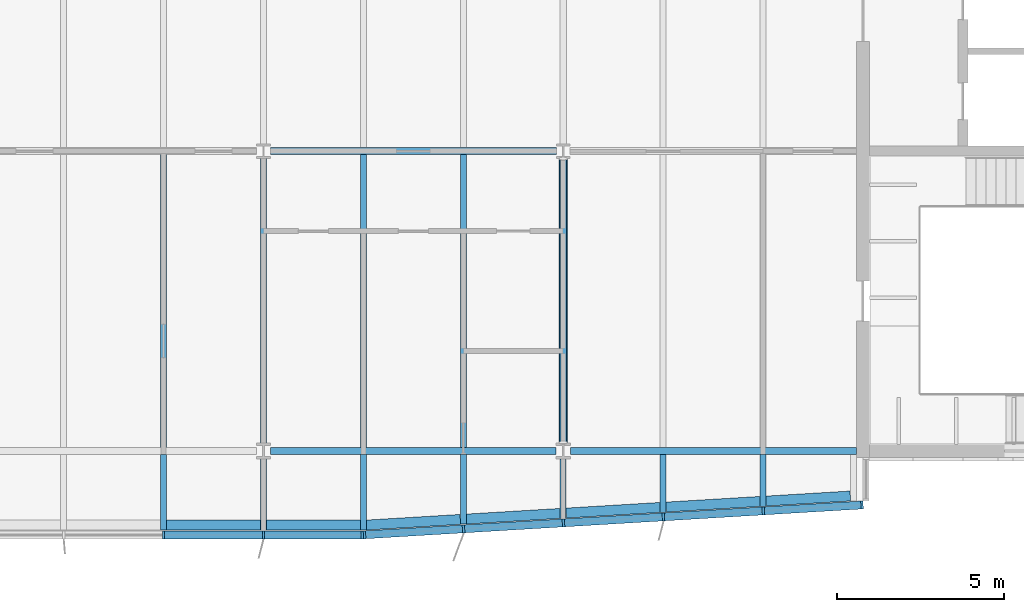
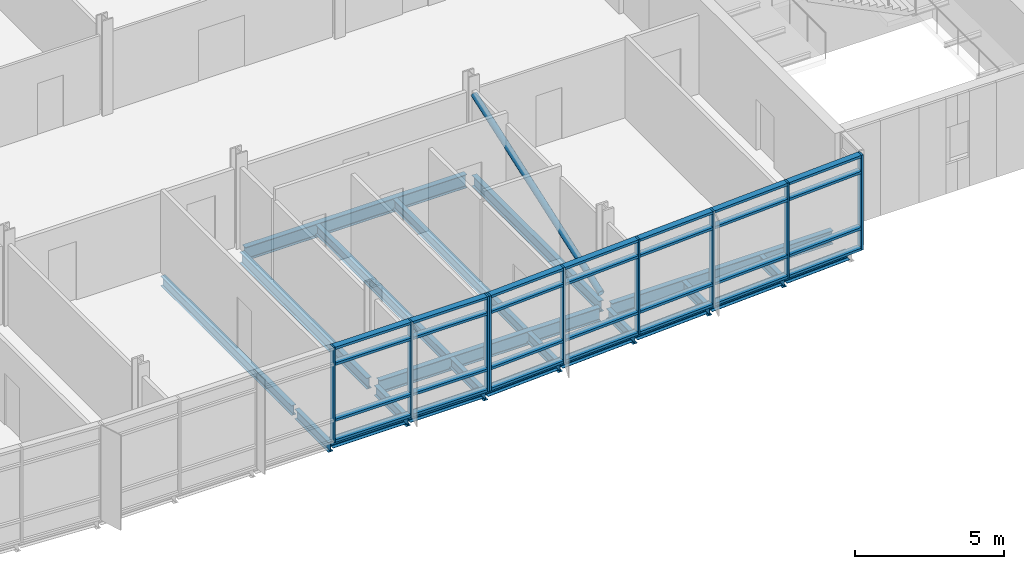
# One storey, part 5 of 17: 38 members, 22 beams, 2 elements without a shape of their own.
"""IFC4 building model written with IfcOpenShell, lengths in metres."""

from ifc_helpers import new_model, si_unit, direction, frame, origin, origin_2d, place, context, subcontext, project, spatial, rectangle, hollow_circle, i_section, extrude, material, material_profile, profile_set, type_object, element, aggregate, save


model = new_model("IFC4")

# Units and contexts
model_context = context("Model", 3, precision=1e-05, world=origin(), true_north=direction((0.0, 1.0)))
body_context = subcontext(model_context, "Body", "Model", "MODEL_VIEW")
ifc_project = project(units=[si_unit("LENGTHUNIT", "METRE"), si_unit("AREAUNIT", "SQUARE_METRE"), si_unit("VOLUMEUNIT", "CUBIC_METRE"), si_unit("PLANEANGLEUNIT", "RADIAN"), si_unit("MASSUNIT", "GRAM", prefix="KILO")], contexts=[model_context])

# Site, building, storey
site_placement = place(None, origin())
site = spatial("IfcSite", under=ifc_project, at=site_placement, CompositionType="ELEMENT")
building_placement = place(site_placement, origin())
building = spatial("IfcBuilding", under=site, at=building_placement, Name="Azimuth Sports and Learning Centre", CompositionType="ELEMENT")
storey_placement = place(building_placement, frame((0.0, 0.0, 36.300048828125)))
storey = spatial("IfcBuildingStorey", under=building, at=storey_placement, Name="L07", CompositionType="ELEMENT", Elevation=36.300048828125)

# Beams
ifc_material_1 = material(Name="Steel S355", Category="steel")
ifc_material_profile_1 = material_profile(ifc_material_1, i_section(OverallWidth=0.18994140625, OverallDepth=0.449951171875, WebThickness=0.009521484375, FlangeThickness=0.0146484375, FilletRadius=0.02099609375, at=origin_2d()), Name="IPE 450")
ifc_profile_set_1 = profile_set([ifc_material_profile_1], Name="Steel S355")
beam_type_1 = type_object("IfcBeamType", Name="Beam IPE 450", PredefinedType="BEAM", material=ifc_profile_set_1)
for number, where, z_axis, x_axis, name in (
    (1, (90.0, 90.237060546875, -0.35498046875), (0.0, 1.0, 0.0), (-1.0, 0.0, 0.0), "Tower tie"),
    (2, (99.0, 90.237060546875, -0.35498046875), (0.0, 1.0, 0.0), (-1.0, 0.0, 0.0), "Tower tie"),
):
    element("IfcBeam", number, at=place(storey_placement, frame(where, z_axis=z_axis, x_axis=x_axis)), inside=storey, type_object=beam_type_1, Name=name, PredefinedType="BEAM", context=body_context, shape_type="SweptSolid", body=[
        extrude(i_section(OverallWidth=0.18994140625, OverallDepth=0.449951171875, WebThickness=0.009521484375, FlangeThickness=0.0146484375, FilletRadius=0.02099609375, at=origin_2d()), origin(), (0.0, 0.0, 1.0), 8.54541015625),
    ])
ifc_material_2 = material(Name="Steel S355", Category="steel")
ifc_material_profile_2 = material_profile(ifc_material_2, i_section(OverallWidth=0.2099609375, OverallDepth=0.550048828125, WebThickness=0.010986328125, FlangeThickness=0.01708984375, FilletRadius=0.02392578125, at=origin_2d()), Name="IPE 550")
ifc_profile_set_2 = profile_set([ifc_material_profile_2], Name="Steel S355")
beam_type_2 = type_object("IfcBeamType", Name="Beam IPE 550", PredefinedType="BEAM", material=ifc_profile_set_2)
beam_1_placement = place(storey_placement, frame((90.2119140625, 90.0, -0.405029296875), z_axis=(1.0, 0.0, 0.0), x_axis=(0.0, 1.0, 0.0)))
element("IfcBeam", 3, at=beam_1_placement, inside=storey, type_object=beam_type_2, Name="Tower girder L07", PredefinedType="BEAM", context=body_context, shape_type="SweptSolid", body=[
    extrude(i_section(OverallWidth=0.2099609375, OverallDepth=0.550048828125, WebThickness=0.010986328125, FlangeThickness=0.01708984375, FilletRadius=0.02392578125, at=origin_2d()), origin(), (0.0, 0.0, 1.0), 8.576171875),
])
beam_2_placement = place(storey_placement, frame((99.2119140625, 90.0, -0.405029296875), z_axis=(1.0, 0.0, 0.0), x_axis=(0.0, 1.0, 0.0)))
element("IfcBeam", 4, at=beam_2_placement, inside=storey, type_object=beam_type_2, Name="Tower girder L07", PredefinedType="BEAM", context=body_context, shape_type="SweptSolid", body=[
    extrude(i_section(OverallWidth=0.2099609375, OverallDepth=0.550048828125, WebThickness=0.010986328125, FlangeThickness=0.01708984375, FilletRadius=0.02392578125, at=origin_2d()), origin(), (0.0, 0.0, 1.0), 8.588134765625),
])
beam_3_placement = place(storey_placement, frame((90.2060546875, 99.0, -0.405029296875), z_axis=(1.0, 0.0, 0.0), x_axis=(0.0, 1.0, 0.0)))
element("IfcBeam", 5, at=beam_3_placement, inside=storey, type_object=beam_type_2, Name="Tower girder L07", PredefinedType="BEAM", context=body_context, shape_type="SweptSolid", body=[
    extrude(i_section(OverallWidth=0.2099609375, OverallDepth=0.550048828125, WebThickness=0.010986328125, FlangeThickness=0.01708984375, FilletRadius=0.02392578125, at=origin_2d()), origin(), (0.0, 0.0, 1.0), 8.587890625),
])

# Member
ifc_material_3 = material(Name="Steel S355", Category="steel")
ifc_material_profile_3 = material_profile(ifc_material_3, hollow_circle(Radius=0.122314453125, WallThickness=0.012451171875, at=origin_2d()), Name="CHS 244.5x12.5")
ifc_profile_set_3 = profile_set([ifc_material_profile_3], Name="Steel S355")
member_type_1 = type_object("IfcMemberType", Name="Brace CHS 244.5x12.5", PredefinedType="BRACE", material=ifc_profile_set_3)
member_1_placement = place(storey_placement, frame((99.0, 90.25732421875, 0.16943359375), z_axis=(0.0, 0.943699867633, 0.330802901785), x_axis=(-1.0, 0.0, 0.0)))
element("IfcMember", 6, at=member_1_placement, inside=storey, type_object=member_type_1, Name="Tower brace 12 L07", PredefinedType="BRACE", context=body_context, shape_type="SweptSolid", body=[
    extrude(hollow_circle(Radius=0.122314453125, WallThickness=0.012451171875, at=origin_2d()), origin(), (0.0, 0.0, 1.0), 9.011962890625),
])

# Beams
ifc_material_4 = material(Name="Steel S355", Category="steel")
ifc_material_profile_4 = material_profile(ifc_material_4, i_section(OverallWidth=0.179931640625, OverallDepth=0.39990234375, WebThickness=0.008544921875, FlangeThickness=0.013427734375, FilletRadius=0.02099609375, at=origin_2d()), Name="IPE 400")
ifc_profile_set_4 = profile_set([ifc_material_profile_4], Name="Steel S355")
beam_type_3 = type_object("IfcBeamType", Name="Cantilever stub IPE 400", PredefinedType="JOIST", material=ifc_profile_set_4)
beam_4_placement = place(storey_placement, frame((87.0, 89.89501953125, -0.330078125), z_axis=(0.0, -1.0, 0.0), x_axis=(1.0, 0.0, 0.0)))
element("IfcBeam", 7, at=beam_4_placement, inside=storey, type_object=beam_type_3, Name="Tower cantilever stub", PredefinedType="JOIST", context=body_context, shape_type="SweptSolid", body=[
    extrude(i_section(OverallWidth=0.179931640625, OverallDepth=0.39990234375, WebThickness=0.008544921875, FlangeThickness=0.013427734375, FilletRadius=0.02099609375, at=origin_2d()), origin(), (0.0, 0.0, 1.0), 2.27490234375),
])
beam_5_placement = place(storey_placement, frame((90.0, 89.762939453125, -0.330078125), z_axis=(0.0, -1.0, 0.0), x_axis=(1.0, 0.0, 0.0)))
element("IfcBeam", 8, at=beam_5_placement, inside=storey, type_object=beam_type_3, Name="Tower cantilever stub", PredefinedType="JOIST", context=body_context, shape_type="SweptSolid", body=[
    extrude(i_section(OverallWidth=0.179931640625, OverallDepth=0.39990234375, WebThickness=0.008544921875, FlangeThickness=0.013427734375, FilletRadius=0.02099609375, at=origin_2d()), origin(), (0.0, 0.0, 1.0), 2.142822265625),
])
beam_6_placement = place(storey_placement, frame((93.0, 89.89501953125, -0.330078125), z_axis=(0.0, -1.0, 0.0), x_axis=(1.0, 0.0, 0.0)))
element("IfcBeam", 9, at=beam_6_placement, inside=storey, type_object=beam_type_3, Name="Tower cantilever stub", PredefinedType="JOIST", context=body_context, shape_type="SweptSolid", body=[
    extrude(i_section(OverallWidth=0.179931640625, OverallDepth=0.39990234375, WebThickness=0.008544921875, FlangeThickness=0.013427734375, FilletRadius=0.02099609375, at=origin_2d()), origin(), (0.0, 0.0, 1.0), 2.27490234375),
])
beam_7_placement = place(storey_placement, frame((96.0, 89.89501953125, -0.330078125), z_axis=(0.0, -1.0, 0.0), x_axis=(1.0, 0.0, 0.0)))
element("IfcBeam", 10, at=beam_7_placement, inside=storey, type_object=beam_type_3, Name="Tower cantilever stub", PredefinedType="JOIST", context=body_context, shape_type="SweptSolid", body=[
    extrude(i_section(OverallWidth=0.179931640625, OverallDepth=0.39990234375, WebThickness=0.008544921875, FlangeThickness=0.013427734375, FilletRadius=0.02099609375, at=origin_2d()), origin(), (0.0, 0.0, 1.0), 2.094970703125),
])
beam_8_placement = place(storey_placement, frame((99.0, 89.762939453125, -0.330078125), z_axis=(0.0, -1.0, 0.0), x_axis=(1.0, 0.0, 0.0)))
element("IfcBeam", 11, at=beam_8_placement, inside=storey, type_object=beam_type_3, Name="Tower cantilever stub", PredefinedType="JOIST", context=body_context, shape_type="SweptSolid", body=[
    extrude(i_section(OverallWidth=0.179931640625, OverallDepth=0.39990234375, WebThickness=0.008544921875, FlangeThickness=0.013427734375, FilletRadius=0.02099609375, at=origin_2d()), origin(), (0.0, 0.0, 1.0), 1.782958984375),
])
beam_9_placement = place(storey_placement, frame((102.0, 89.89501953125, -0.330078125), z_axis=(0.0, -1.0, 0.0), x_axis=(1.0, 0.0, 0.0)))
element("IfcBeam", 12, at=beam_9_placement, inside=storey, type_object=beam_type_3, Name="Tower cantilever stub", PredefinedType="JOIST", context=body_context, shape_type="SweptSolid", body=[
    extrude(i_section(OverallWidth=0.179931640625, OverallDepth=0.39990234375, WebThickness=0.008544921875, FlangeThickness=0.013427734375, FilletRadius=0.02099609375, at=origin_2d()), origin(), (0.0, 0.0, 1.0), 1.735107421875),
])
beam_10_placement = place(storey_placement, frame((105.0, 89.89501953125, -0.330078125), z_axis=(0.0, -1.0, 0.0), x_axis=(1.0, 0.0, 0.0)))
element("IfcBeam", 13, at=beam_10_placement, inside=storey, type_object=beam_type_3, Name="Tower cantilever stub", PredefinedType="JOIST", context=body_context, shape_type="SweptSolid", body=[
    extrude(i_section(OverallWidth=0.179931640625, OverallDepth=0.39990234375, WebThickness=0.008544921875, FlangeThickness=0.013427734375, FilletRadius=0.02099609375, at=origin_2d()), origin(), (0.0, 0.0, 1.0), 1.554931640625),
])
ifc_material_5 = material(Name="Steel S355", Category="steel")
ifc_material_profile_5 = material_profile(ifc_material_5, i_section(OverallWidth=0.300048828125, OverallDepth=0.2900390625, WebThickness=0.008544921875, FlangeThickness=0.013916015625, FilletRadius=0.027099609375, at=origin_2d()), Name="HEA 300")
ifc_profile_set_5 = profile_set([ifc_material_profile_5], Name="Steel S355")
beam_type_4 = type_object("IfcBeamType", Name="Edge beam HEA 300", PredefinedType="SPANDREL", material=ifc_profile_set_5)
for number, where, z_axis, x_axis, name in (
    (14, (87.090087890625, 87.77001953125, -0.275146484375), (1.0, 0.0, 0.0), (0.0, 1.0, 0.0), "Tower edge beam"),
    (15, (90.090087890625, 87.77001953125, -0.275146484375), (1.0, 0.0, 0.0), (0.0, 1.0, 0.0), "Tower edge beam"),
):
    element("IfcBeam", number, at=place(storey_placement, frame(where, z_axis=z_axis, x_axis=x_axis)), inside=storey, type_object=beam_type_4, Name=name, PredefinedType="SPANDREL", context=body_context, shape_type="SweptSolid", body=[
        extrude(i_section(OverallWidth=0.300048828125, OverallDepth=0.2900390625, WebThickness=0.008544921875, FlangeThickness=0.013916015625, FilletRadius=0.027099609375, at=origin_2d()), origin(), (0.0, 0.0, 1.0), 2.81982421875),
    ])
for number, where, z_axis, x_axis, name in (
    (16, (93.090087890625, 87.775390625, -0.275146484375), (0.998204845466, 0.059892290728, 0.0), (-0.059892290728, 0.998204845466, 0.0), "Tower edge beam"),
    (17, (96.090087890625, 87.955322265625, -0.275146484375), (0.998204845466, 0.059892290728, 0.0), (-0.059892290728, 0.998204845466, 0.0), "Tower edge beam"),
    (18, (99.090087890625, 88.135498046875, -0.275146484375), (0.998204845466, 0.059892290728, 0.0), (-0.059892290728, 0.998204845466, 0.0), "Tower edge beam"),
    (19, (102.090087890625, 88.3154296875, -0.275146484375), (0.998204845466, 0.059892290728, 0.0), (-0.059892290728, 0.998204845466, 0.0), "Tower edge beam"),
):
    element("IfcBeam", number, at=place(storey_placement, frame(where, z_axis=z_axis, x_axis=x_axis)), inside=storey, type_object=beam_type_4, Name=name, PredefinedType="SPANDREL", context=body_context, shape_type="SweptSolid", body=[
        extrude(i_section(OverallWidth=0.300048828125, OverallDepth=0.2900390625, WebThickness=0.008544921875, FlangeThickness=0.013916015625, FilletRadius=0.027099609375, at=origin_2d()), origin(), (0.0, 0.0, 1.0), 2.824951171875),
    ])
beam_11_placement = place(storey_placement, frame((105.090087890625, 88.495361328125, -0.275146484375), z_axis=(0.998203578329, 0.059913405937, 0.0), x_axis=(-0.059913405937, 0.998203578329, 0.0)))
element("IfcBeam", 20, at=beam_11_placement, inside=storey, type_object=beam_type_4, Name="Tower edge beam", PredefinedType="SPANDREL", context=body_context, shape_type="SweptSolid", body=[
    extrude(i_section(OverallWidth=0.300048828125, OverallDepth=0.2900390625, WebThickness=0.008544921875, FlangeThickness=0.013916015625, FilletRadius=0.027099609375, at=origin_2d()), origin(), (0.0, 0.0, 1.0), 2.53466796875),
])
ifc_material_6 = material(Name="Steel S355", Category="steel")
ifc_material_profile_6 = material_profile(ifc_material_6, i_section(OverallWidth=0.179931640625, OverallDepth=0.39990234375, WebThickness=0.008544921875, FlangeThickness=0.013427734375, FilletRadius=0.02099609375, at=origin_2d()), Name="IPE 400")
ifc_profile_set_6 = profile_set([ifc_material_profile_6], Name="Steel S355")
beam_type_5 = type_object("IfcBeamType", Name="Joist IPE 400", PredefinedType="JOIST", material=ifc_profile_set_6)
for number, where, z_axis, x_axis, name in (
    (21, (87.0, 90.10498046875, -0.330078125), (0.0, 1.0, 0.0), (-1.0, 0.0, 0.0), "Tower joist"),
    (22, (93.0, 90.10498046875, -0.330078125), (0.0, 1.0, 0.0), (-1.0, 0.0, 0.0), "Tower joist"),
    (23, (96.0, 90.10498046875, -0.330078125), (0.0, 1.0, 0.0), (-1.0, 0.0, 0.0), "Tower joist"),
):
    element("IfcBeam", number, at=place(storey_placement, frame(where, z_axis=z_axis, x_axis=x_axis)), inside=storey, type_object=beam_type_5, Name=name, PredefinedType="JOIST", context=body_context, shape_type="SweptSolid", body=[
        extrude(i_section(OverallWidth=0.179931640625, OverallDepth=0.39990234375, WebThickness=0.008544921875, FlangeThickness=0.013427734375, FilletRadius=0.02099609375, at=origin_2d()), origin(), (0.0, 0.0, 1.0), 8.7900390625),
    ])

# Curtain wall, members
ifc_material_7 = material(Name="Aluminium and glass", Category="aluminium")
curtain_wall_type = type_object("IfcCurtainWallType", Name="Curtain wall tower south 240", PredefinedType="NOTDEFINED", material=ifc_material_7)
curtain_wall_1_placement = place(storey_placement, origin())
curtain_wall_1 = element("IfcCurtainWall", 24, at=curtain_wall_1_placement, inside=storey, type_object=curtain_wall_type, Name="Curtain wall CW07-003", PredefinedType="NOTDEFINED")
ifc_material_8 = material(Name="Aluminium", Category="aluminium")
ifc_material_profile_7 = material_profile(ifc_material_8, rectangle(XDim=0.239990234375, YDim=0.070068359375, at=origin_2d()), Name="Mullion 70x240")
ifc_profile_set_7 = profile_set([ifc_material_profile_7], Name="Aluminium")
member_type_2 = type_object("IfcMemberType", Name="Mullion 70x240", PredefinedType="MULLION", material=ifc_profile_set_7)
member_2_placement = place(storey_placement, frame((87.0, 87.47998046875, 0.0), z_axis=(0.0, 0.0, 1.0), x_axis=(0.0, 1.0, 0.0)))
member_2 = element("IfcMember", 25, at=member_2_placement, type_object=member_type_2, Name="CW07-003 mullion 4", PredefinedType="MULLION", context=body_context, shape_type="SweptSolid", body=[
    extrude(rectangle(XDim=0.239990234375, YDim=0.070068359375, at=origin_2d()), origin(), (0.0, 0.0, 1.0), 3.89990234375),
])
member_3_placement = place(storey_placement, frame((90.0, 87.47998046875, 0.0), z_axis=(0.0, 0.0, 1.0), x_axis=(0.0, 1.0, 0.0)))
member_3 = element("IfcMember", 26, at=member_3_placement, type_object=member_type_2, Name="CW07-003 mullion 5", PredefinedType="MULLION", context=body_context, shape_type="SweptSolid", body=[
    extrude(rectangle(XDim=0.239990234375, YDim=0.070068359375, at=origin_2d()), origin(), (0.0, 0.0, 1.0), 3.89990234375),
])
member_4_placement = place(storey_placement, frame((92.965087890625, 87.47998046875, 0.0), z_axis=(0.0, 0.0, 1.0), x_axis=(0.0, 1.0, 0.0)))
member_4 = element("IfcMember", 27, at=member_4_placement, type_object=member_type_2, Name="CW07-003 mullion 6", PredefinedType="MULLION", context=body_context, shape_type="SweptSolid", body=[
    extrude(rectangle(XDim=0.239990234375, YDim=0.070068359375, at=origin_2d()), origin(), (0.0, 0.0, 1.0), 3.89990234375),
])

curtain_wall_2_placement = place(storey_placement, origin())
curtain_wall_2 = element("IfcCurtainWall", 28, at=curtain_wall_2_placement, inside=storey, type_object=curtain_wall_type, Name="Curtain wall CW07-004", PredefinedType="NOTDEFINED")
member_5_placement = place(storey_placement, frame((93.034912109375, 87.48193359375, 0.0), z_axis=(0.0, 0.0, 1.0), x_axis=(-0.059891991812, 0.998204863401, 0.0)))
member_5 = element("IfcMember", 29, at=member_5_placement, type_object=member_type_2, Name="CW07-004 mullion 1", PredefinedType="MULLION", context=body_context, shape_type="SweptSolid", body=[
    extrude(rectangle(XDim=0.239990234375, YDim=0.070068359375, at=origin_2d()), origin(), (0.0, 0.0, 1.0), 3.89990234375),
])
member_6_placement = place(storey_placement, frame((96.007080078125, 87.66015625, 0.0), z_axis=(0.0, 0.0, 1.0), x_axis=(-0.059891991812, 0.998204863401, 0.0)))
member_6 = element("IfcMember", 30, at=member_6_placement, type_object=member_type_2, Name="CW07-004 mullion 2", PredefinedType="MULLION", context=body_context, shape_type="SweptSolid", body=[
    extrude(rectangle(XDim=0.239990234375, YDim=0.070068359375, at=origin_2d()), origin(), (0.0, 0.0, 1.0), 3.89990234375),
])
member_7_placement = place(storey_placement, frame((99.007080078125, 87.84033203125, 0.0), z_axis=(0.0, 0.0, 1.0), x_axis=(-0.059891991812, 0.998204863401, 0.0)))
member_7 = element("IfcMember", 31, at=member_7_placement, type_object=member_type_2, Name="CW07-004 mullion 3", PredefinedType="MULLION", context=body_context, shape_type="SweptSolid", body=[
    extrude(rectangle(XDim=0.239990234375, YDim=0.070068359375, at=origin_2d()), origin(), (0.0, 0.0, 1.0), 3.89990234375),
])
member_8_placement = place(storey_placement, frame((102.007080078125, 88.020263671875, 0.0), z_axis=(0.0, 0.0, 1.0), x_axis=(-0.059891991812, 0.998204863401, 0.0)))
member_8 = element("IfcMember", 32, at=member_8_placement, type_object=member_type_2, Name="CW07-004 mullion 4", PredefinedType="MULLION", context=body_context, shape_type="SweptSolid", body=[
    extrude(rectangle(XDim=0.239990234375, YDim=0.070068359375, at=origin_2d()), origin(), (0.0, 0.0, 1.0), 3.89990234375),
])
member_9_placement = place(storey_placement, frame((105.007080078125, 88.2001953125, 0.0), z_axis=(0.0, 0.0, 1.0), x_axis=(-0.059891991812, 0.998204863401, 0.0)))
member_9 = element("IfcMember", 33, at=member_9_placement, type_object=member_type_2, Name="CW07-004 mullion 5", PredefinedType="MULLION", context=body_context, shape_type="SweptSolid", body=[
    extrude(rectangle(XDim=0.239990234375, YDim=0.070068359375, at=origin_2d()), origin(), (0.0, 0.0, 1.0), 3.89990234375),
])
member_10_placement = place(storey_placement, frame((107.97216796875, 88.378173828125, 0.0), z_axis=(0.0, 0.0, 1.0), x_axis=(-0.059891991812, 0.998204863401, 0.0)))
member_10 = element("IfcMember", 34, at=member_10_placement, type_object=member_type_2, Name="CW07-004 mullion 6", PredefinedType="MULLION", context=body_context, shape_type="SweptSolid", body=[
    extrude(rectangle(XDim=0.239990234375, YDim=0.070068359375, at=origin_2d()), origin(), (0.0, 0.0, 1.0), 3.89990234375),
])

# Member
ifc_material_9 = material(Name="Aluminium", Category="aluminium")
ifc_material_profile_8 = material_profile(ifc_material_9, rectangle(XDim=0.239990234375, YDim=0.10009765625, at=origin_2d()), Name="Transom 100x240")
ifc_profile_set_8 = profile_set([ifc_material_profile_8], Name="Aluminium")
member_type_3 = type_object("IfcMemberType", Name="Transom 100x240", PredefinedType="USERDEFINED", material=ifc_profile_set_8)
member_11_placement = place(storey_placement, frame((87.034912109375, 87.47998046875, 0.050048828125), z_axis=(1.0, 0.0, 0.0), x_axis=(0.0, 1.0, 0.0)))
member_11 = element("IfcMember", 35, at=member_11_placement, type_object=member_type_3, Name="CW07-003 transom 4.1", ObjectType="TRANSOM", PredefinedType="USERDEFINED", context=body_context, shape_type="SweptSolid", body=[
    extrude(rectangle(XDim=0.239990234375, YDim=0.10009765625, at=origin_2d()), origin(), (0.0, 0.0, 1.0), 2.93017578125),
])

member_12_placement = place(storey_placement, frame((87.034912109375, 87.47998046875, 0.89990234375), z_axis=(1.0, 0.0, 0.0), x_axis=(0.0, 1.0, 0.0)))
member_12 = element("IfcMember", 36, at=member_12_placement, type_object=member_type_3, Name="CW07-003 transom 4.2", ObjectType="TRANSOM", PredefinedType="USERDEFINED", context=body_context, shape_type="SweptSolid", body=[
    extrude(rectangle(XDim=0.239990234375, YDim=0.10009765625, at=origin_2d()), origin(), (0.0, 0.0, 1.0), 2.93017578125),
])

member_13_placement = place(storey_placement, frame((87.034912109375, 87.47998046875, 3.199951171875), z_axis=(1.0, 0.0, 0.0), x_axis=(0.0, 1.0, 0.0)))
member_13 = element("IfcMember", 37, at=member_13_placement, type_object=member_type_3, Name="CW07-003 transom 4.3", ObjectType="TRANSOM", PredefinedType="USERDEFINED", context=body_context, shape_type="SweptSolid", body=[
    extrude(rectangle(XDim=0.239990234375, YDim=0.10009765625, at=origin_2d()), origin(), (0.0, 0.0, 1.0), 2.93017578125),
])

member_14_placement = place(storey_placement, frame((87.034912109375, 87.47998046875, 3.849853515625), z_axis=(1.0, 0.0, 0.0), x_axis=(0.0, 1.0, 0.0)))
member_14 = element("IfcMember", 38, at=member_14_placement, type_object=member_type_3, Name="CW07-003 transom 4.4", ObjectType="TRANSOM", PredefinedType="USERDEFINED", context=body_context, shape_type="SweptSolid", body=[
    extrude(rectangle(XDim=0.239990234375, YDim=0.10009765625, at=origin_2d()), origin(), (0.0, 0.0, 1.0), 2.93017578125),
])

member_15_placement = place(storey_placement, frame((90.034912109375, 87.47998046875, 0.050048828125), z_axis=(1.0, 0.0, 0.0), x_axis=(0.0, 1.0, 0.0)))
member_15 = element("IfcMember", 39, at=member_15_placement, type_object=member_type_3, Name="CW07-003 transom 5.1", ObjectType="TRANSOM", PredefinedType="USERDEFINED", context=body_context, shape_type="SweptSolid", body=[
    extrude(rectangle(XDim=0.239990234375, YDim=0.10009765625, at=origin_2d()), origin(), (0.0, 0.0, 1.0), 2.89501953125),
])

member_16_placement = place(storey_placement, frame((90.034912109375, 87.47998046875, 0.89990234375), z_axis=(1.0, 0.0, 0.0), x_axis=(0.0, 1.0, 0.0)))
member_16 = element("IfcMember", 40, at=member_16_placement, type_object=member_type_3, Name="CW07-003 transom 5.2", ObjectType="TRANSOM", PredefinedType="USERDEFINED", context=body_context, shape_type="SweptSolid", body=[
    extrude(rectangle(XDim=0.239990234375, YDim=0.10009765625, at=origin_2d()), origin(), (0.0, 0.0, 1.0), 2.89501953125),
])

member_17_placement = place(storey_placement, frame((90.034912109375, 87.47998046875, 3.199951171875), z_axis=(1.0, 0.0, 0.0), x_axis=(0.0, 1.0, 0.0)))
member_17 = element("IfcMember", 41, at=member_17_placement, type_object=member_type_3, Name="CW07-003 transom 5.3", ObjectType="TRANSOM", PredefinedType="USERDEFINED", context=body_context, shape_type="SweptSolid", body=[
    extrude(rectangle(XDim=0.239990234375, YDim=0.10009765625, at=origin_2d()), origin(), (0.0, 0.0, 1.0), 2.89501953125),
])

member_18_placement = place(storey_placement, frame((90.034912109375, 87.47998046875, 3.849853515625), z_axis=(1.0, 0.0, 0.0), x_axis=(0.0, 1.0, 0.0)))
member_18 = element("IfcMember", 42, at=member_18_placement, type_object=member_type_3, Name="CW07-003 transom 5.4", ObjectType="TRANSOM", PredefinedType="USERDEFINED", context=body_context, shape_type="SweptSolid", body=[
    extrude(rectangle(XDim=0.239990234375, YDim=0.10009765625, at=origin_2d()), origin(), (0.0, 0.0, 1.0), 2.89501953125),
])

aggregate(curtain_wall_1, [member_2, member_3, member_4, member_11, member_12, member_13, member_14, member_15, member_16, member_17, member_18])

member_19_placement = place(storey_placement, frame((93.06982421875, 87.48388671875, 0.050048828125), z_axis=(0.99820122928, 0.05995253009, 0.0), x_axis=(-0.05995253009, 0.99820122928, 0.0)))
member_19 = element("IfcMember", 43, at=member_19_placement, type_object=member_type_3, Name="CW07-004 transom 1.1", ObjectType="TRANSOM", PredefinedType="USERDEFINED", context=body_context, shape_type="SweptSolid", body=[
    extrude(rectangle(XDim=0.239990234375, YDim=0.10009765625, at=origin_2d()), origin(), (0.0, 0.0, 1.0), 2.907470703125),
])

member_20_placement = place(storey_placement, frame((93.06982421875, 87.48388671875, 0.89990234375), z_axis=(0.99820122928, 0.05995253009, 0.0), x_axis=(-0.05995253009, 0.99820122928, 0.0)))
member_20 = element("IfcMember", 44, at=member_20_placement, type_object=member_type_3, Name="CW07-004 transom 1.2", ObjectType="TRANSOM", PredefinedType="USERDEFINED", context=body_context, shape_type="SweptSolid", body=[
    extrude(rectangle(XDim=0.239990234375, YDim=0.10009765625, at=origin_2d()), origin(), (0.0, 0.0, 1.0), 2.907470703125),
])

member_21_placement = place(storey_placement, frame((93.06982421875, 87.48388671875, 3.199951171875), z_axis=(0.99820122928, 0.05995253009, 0.0), x_axis=(-0.05995253009, 0.99820122928, 0.0)))
member_21 = element("IfcMember", 45, at=member_21_placement, type_object=member_type_3, Name="CW07-004 transom 1.3", ObjectType="TRANSOM", PredefinedType="USERDEFINED", context=body_context, shape_type="SweptSolid", body=[
    extrude(rectangle(XDim=0.239990234375, YDim=0.10009765625, at=origin_2d()), origin(), (0.0, 0.0, 1.0), 2.907470703125),
])

member_22_placement = place(storey_placement, frame((93.06982421875, 87.48388671875, 3.849853515625), z_axis=(0.99820122928, 0.05995253009, 0.0), x_axis=(-0.05995253009, 0.99820122928, 0.0)))
member_22 = element("IfcMember", 46, at=member_22_placement, type_object=member_type_3, Name="CW07-004 transom 1.4", ObjectType="TRANSOM", PredefinedType="USERDEFINED", context=body_context, shape_type="SweptSolid", body=[
    extrude(rectangle(XDim=0.239990234375, YDim=0.10009765625, at=origin_2d()), origin(), (0.0, 0.0, 1.0), 2.907470703125),
])

member_23_placement = place(storey_placement, frame((96.042236328125, 87.662353515625, 0.050048828125), z_axis=(0.998205143816, 0.059887318019, 0.0), x_axis=(-0.059887318019, 0.998205143816, 0.0)))
member_23 = element("IfcMember", 47, at=member_23_placement, type_object=member_type_3, Name="CW07-004 transom 2.1", ObjectType="TRANSOM", PredefinedType="USERDEFINED", context=body_context, shape_type="SweptSolid", body=[
    extrude(rectangle(XDim=0.239990234375, YDim=0.10009765625, at=origin_2d()), origin(), (0.0, 0.0, 1.0), 2.935302734375),
])

member_24_placement = place(storey_placement, frame((96.042236328125, 87.662353515625, 0.89990234375), z_axis=(0.998205143816, 0.059887318019, 0.0), x_axis=(-0.059887318019, 0.998205143816, 0.0)))
member_24 = element("IfcMember", 48, at=member_24_placement, type_object=member_type_3, Name="CW07-004 transom 2.2", ObjectType="TRANSOM", PredefinedType="USERDEFINED", context=body_context, shape_type="SweptSolid", body=[
    extrude(rectangle(XDim=0.239990234375, YDim=0.10009765625, at=origin_2d()), origin(), (0.0, 0.0, 1.0), 2.935302734375),
])

member_25_placement = place(storey_placement, frame((96.042236328125, 87.662353515625, 3.199951171875), z_axis=(0.998205143816, 0.059887318019, 0.0), x_axis=(-0.059887318019, 0.998205143816, 0.0)))
member_25 = element("IfcMember", 49, at=member_25_placement, type_object=member_type_3, Name="CW07-004 transom 2.3", ObjectType="TRANSOM", PredefinedType="USERDEFINED", context=body_context, shape_type="SweptSolid", body=[
    extrude(rectangle(XDim=0.239990234375, YDim=0.10009765625, at=origin_2d()), origin(), (0.0, 0.0, 1.0), 2.935302734375),
])

member_26_placement = place(storey_placement, frame((96.042236328125, 87.662353515625, 3.849853515625), z_axis=(0.998205143816, 0.059887318019, 0.0), x_axis=(-0.059887318019, 0.998205143816, 0.0)))
member_26 = element("IfcMember", 50, at=member_26_placement, type_object=member_type_3, Name="CW07-004 transom 2.4", ObjectType="TRANSOM", PredefinedType="USERDEFINED", context=body_context, shape_type="SweptSolid", body=[
    extrude(rectangle(XDim=0.239990234375, YDim=0.10009765625, at=origin_2d()), origin(), (0.0, 0.0, 1.0), 2.935302734375),
])

member_27_placement = place(storey_placement, frame((99.042236328125, 87.84228515625, 0.050048828125), z_axis=(0.998205143816, 0.059887318019, 0.0), x_axis=(-0.059887318019, 0.998205143816, 0.0)))
member_27 = element("IfcMember", 51, at=member_27_placement, type_object=member_type_3, Name="CW07-004 transom 3.1", ObjectType="TRANSOM", PredefinedType="USERDEFINED", context=body_context, shape_type="SweptSolid", body=[
    extrude(rectangle(XDim=0.239990234375, YDim=0.10009765625, at=origin_2d()), origin(), (0.0, 0.0, 1.0), 2.935302734375),
])

member_28_placement = place(storey_placement, frame((99.042236328125, 87.84228515625, 0.89990234375), z_axis=(0.998205143816, 0.059887318019, 0.0), x_axis=(-0.059887318019, 0.998205143816, 0.0)))
member_28 = element("IfcMember", 52, at=member_28_placement, type_object=member_type_3, Name="CW07-004 transom 3.2", ObjectType="TRANSOM", PredefinedType="USERDEFINED", context=body_context, shape_type="SweptSolid", body=[
    extrude(rectangle(XDim=0.239990234375, YDim=0.10009765625, at=origin_2d()), origin(), (0.0, 0.0, 1.0), 2.935302734375),
])

member_29_placement = place(storey_placement, frame((99.042236328125, 87.84228515625, 3.199951171875), z_axis=(0.998205143816, 0.059887318019, 0.0), x_axis=(-0.059887318019, 0.998205143816, 0.0)))
member_29 = element("IfcMember", 53, at=member_29_placement, type_object=member_type_3, Name="CW07-004 transom 3.3", ObjectType="TRANSOM", PredefinedType="USERDEFINED", context=body_context, shape_type="SweptSolid", body=[
    extrude(rectangle(XDim=0.239990234375, YDim=0.10009765625, at=origin_2d()), origin(), (0.0, 0.0, 1.0), 2.935302734375),
])

member_30_placement = place(storey_placement, frame((99.042236328125, 87.84228515625, 3.849853515625), z_axis=(0.998205143816, 0.059887318019, 0.0), x_axis=(-0.059887318019, 0.998205143816, 0.0)))
member_30 = element("IfcMember", 54, at=member_30_placement, type_object=member_type_3, Name="CW07-004 transom 3.4", ObjectType="TRANSOM", PredefinedType="USERDEFINED", context=body_context, shape_type="SweptSolid", body=[
    extrude(rectangle(XDim=0.239990234375, YDim=0.10009765625, at=origin_2d()), origin(), (0.0, 0.0, 1.0), 2.935302734375),
])

member_31_placement = place(storey_placement, frame((102.042236328125, 88.022216796875, 0.050048828125), z_axis=(0.998205143816, 0.059887318019, 0.0), x_axis=(-0.059887318019, 0.998205143816, 0.0)))
member_31 = element("IfcMember", 55, at=member_31_placement, type_object=member_type_3, Name="CW07-004 transom 4.1", ObjectType="TRANSOM", PredefinedType="USERDEFINED", context=body_context, shape_type="SweptSolid", body=[
    extrude(rectangle(XDim=0.239990234375, YDim=0.10009765625, at=origin_2d()), origin(), (0.0, 0.0, 1.0), 2.935302734375),
])

member_32_placement = place(storey_placement, frame((102.042236328125, 88.022216796875, 0.89990234375), z_axis=(0.998205143816, 0.059887318019, 0.0), x_axis=(-0.059887318019, 0.998205143816, 0.0)))
member_32 = element("IfcMember", 56, at=member_32_placement, type_object=member_type_3, Name="CW07-004 transom 4.2", ObjectType="TRANSOM", PredefinedType="USERDEFINED", context=body_context, shape_type="SweptSolid", body=[
    extrude(rectangle(XDim=0.239990234375, YDim=0.10009765625, at=origin_2d()), origin(), (0.0, 0.0, 1.0), 2.935302734375),
])

member_33_placement = place(storey_placement, frame((102.042236328125, 88.022216796875, 3.199951171875), z_axis=(0.998205143816, 0.059887318019, 0.0), x_axis=(-0.059887318019, 0.998205143816, 0.0)))
member_33 = element("IfcMember", 57, at=member_33_placement, type_object=member_type_3, Name="CW07-004 transom 4.3", ObjectType="TRANSOM", PredefinedType="USERDEFINED", context=body_context, shape_type="SweptSolid", body=[
    extrude(rectangle(XDim=0.239990234375, YDim=0.10009765625, at=origin_2d()), origin(), (0.0, 0.0, 1.0), 2.935302734375),
])

member_34_placement = place(storey_placement, frame((102.042236328125, 88.022216796875, 3.849853515625), z_axis=(0.998205143816, 0.059887318019, 0.0), x_axis=(-0.059887318019, 0.998205143816, 0.0)))
member_34 = element("IfcMember", 58, at=member_34_placement, type_object=member_type_3, Name="CW07-004 transom 4.4", ObjectType="TRANSOM", PredefinedType="USERDEFINED", context=body_context, shape_type="SweptSolid", body=[
    extrude(rectangle(XDim=0.239990234375, YDim=0.10009765625, at=origin_2d()), origin(), (0.0, 0.0, 1.0), 2.935302734375),
])

member_35_placement = place(storey_placement, frame((105.042236328125, 88.202392578125, 0.050048828125), z_axis=(0.998207260343, 0.059852029187, 0.0), x_axis=(-0.059852029187, 0.998207260343, 0.0)))
member_35 = element("IfcMember", 59, at=member_35_placement, type_object=member_type_3, Name="CW07-004 transom 5.1", ObjectType="TRANSOM", PredefinedType="USERDEFINED", context=body_context, shape_type="SweptSolid", body=[
    extrude(rectangle(XDim=0.239990234375, YDim=0.10009765625, at=origin_2d()), origin(), (0.0, 0.0, 1.0), 2.900146484375),
])

member_36_placement = place(storey_placement, frame((105.042236328125, 88.202392578125, 0.89990234375), z_axis=(0.998207260343, 0.059852029187, 0.0), x_axis=(-0.059852029187, 0.998207260343, 0.0)))
member_36 = element("IfcMember", 60, at=member_36_placement, type_object=member_type_3, Name="CW07-004 transom 5.2", ObjectType="TRANSOM", PredefinedType="USERDEFINED", context=body_context, shape_type="SweptSolid", body=[
    extrude(rectangle(XDim=0.239990234375, YDim=0.10009765625, at=origin_2d()), origin(), (0.0, 0.0, 1.0), 2.900146484375),
])

member_37_placement = place(storey_placement, frame((105.042236328125, 88.202392578125, 3.199951171875), z_axis=(0.998207260343, 0.059852029187, 0.0), x_axis=(-0.059852029187, 0.998207260343, 0.0)))
member_37 = element("IfcMember", 61, at=member_37_placement, type_object=member_type_3, Name="CW07-004 transom 5.3", ObjectType="TRANSOM", PredefinedType="USERDEFINED", context=body_context, shape_type="SweptSolid", body=[
    extrude(rectangle(XDim=0.239990234375, YDim=0.10009765625, at=origin_2d()), origin(), (0.0, 0.0, 1.0), 2.900146484375),
])

member_38_placement = place(storey_placement, frame((105.042236328125, 88.202392578125, 3.849853515625), z_axis=(0.998207260343, 0.059852029187, 0.0), x_axis=(-0.059852029187, 0.998207260343, 0.0)))
member_38 = element("IfcMember", 62, at=member_38_placement, type_object=member_type_3, Name="CW07-004 transom 5.4", ObjectType="TRANSOM", PredefinedType="USERDEFINED", context=body_context, shape_type="SweptSolid", body=[
    extrude(rectangle(XDim=0.239990234375, YDim=0.10009765625, at=origin_2d()), origin(), (0.0, 0.0, 1.0), 2.900146484375),
])

aggregate(curtain_wall_2, [member_5, member_6, member_7, member_8, member_9, member_10, member_19, member_20, member_21, member_22, member_23, member_24, member_25, member_26, member_27, member_28, member_29, member_30, member_31, member_32, member_33, member_34, member_35, member_36, member_37, member_38])

save(model, "model.ifc")
